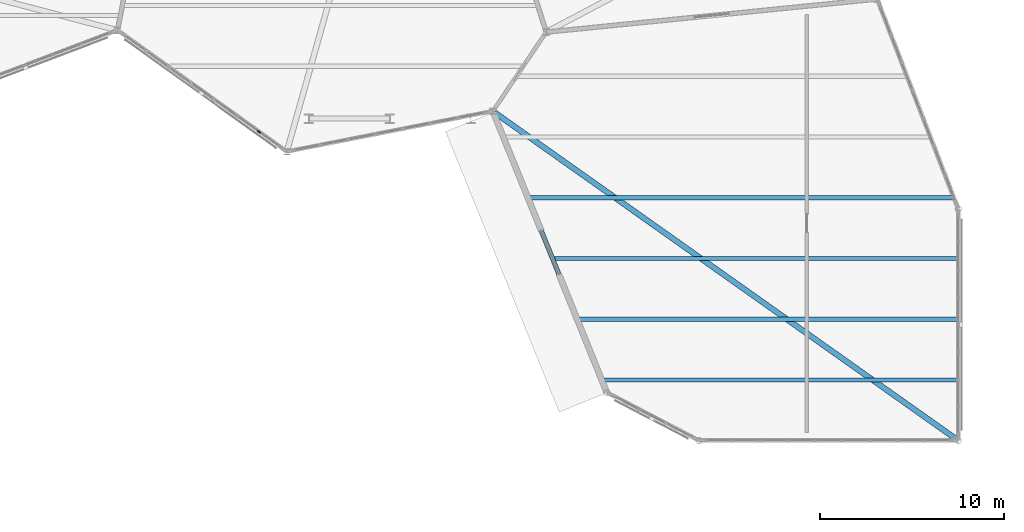
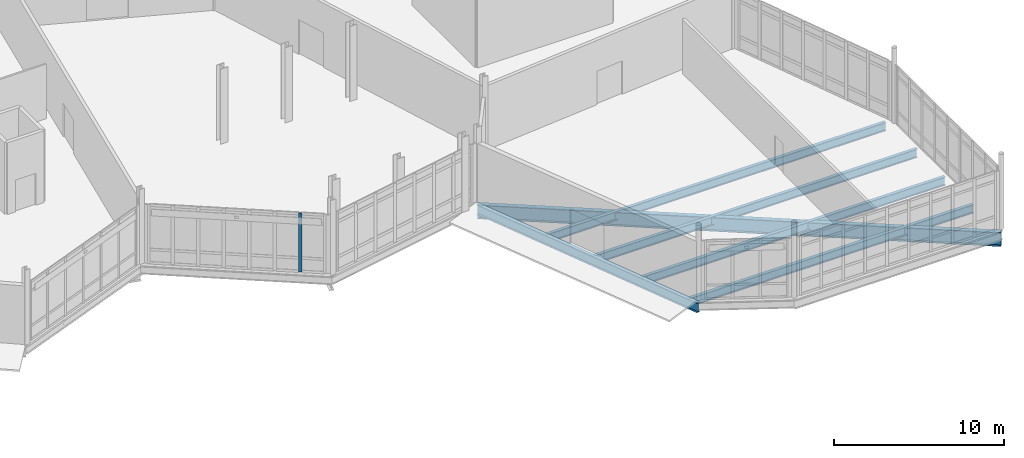
# One storey, part 54 of 113: 6 beams, 1 member, 1 element without a shape of its own.
"""IFC4 building model written with IfcOpenShell, lengths in metres."""

from ifc_helpers import new_model, si_unit, direction, frame, origin, origin_2d, place, context, subcontext, project, spatial, rectangle, i_section, extrude, material, material_profile, profile_set, type_object, element, aggregate, save


model = new_model("IFC4")

# Units and contexts
model_context = context("Model", 3, precision=1e-05, world=origin(), true_north=direction((0.0, 1.0)))
body_context = subcontext(model_context, "Body", "Model", "MODEL_VIEW")
ifc_project = project(units=[si_unit("LENGTHUNIT", "METRE"), si_unit("AREAUNIT", "SQUARE_METRE"), si_unit("VOLUMEUNIT", "CUBIC_METRE"), si_unit("PLANEANGLEUNIT", "RADIAN"), si_unit("MASSUNIT", "GRAM", prefix="KILO")], contexts=[model_context])

# Site, building, storey
site_placement = place(None, origin())
site = spatial("IfcSite", under=ifc_project, at=site_placement, CompositionType="ELEMENT")
building_placement = place(site_placement, origin())
building = spatial("IfcBuilding", under=site, at=building_placement, Name="Tameran Prism Museum", CompositionType="ELEMENT")
storey_placement = place(building_placement, origin())
storey = spatial("IfcBuildingStorey", under=building, at=storey_placement, Name="L00", CompositionType="ELEMENT", Elevation=0.0)

# Beams
ifc_material_1 = material(Name="Steel Grade 350 (350 MPa)", Category="steel")
ifc_material_profile_1 = material_profile(ifc_material_1, i_section(OverallWidth=0.25, OverallDepth=0.699951171875, WebThickness=0.010009765625, FlangeThickness=0.02001953125, at=origin_2d()))
ifc_profile_set_1 = profile_set([ifc_material_profile_1])
beam_type_1 = type_object("IfcBeamType", Name="BM-SP700", PredefinedType="SPANDREL", material=ifc_profile_set_1)
beam_1_placement = place(storey_placement, frame((141.10009765625, 17.89990234375, -0.590087890625), z_axis=(0.375566075137, -0.926795621055, 0.0), x_axis=(0.926795621055, 0.375566075137, 0.0)))
element("IfcBeam", 1, at=beam_1_placement, inside=storey, type_object=beam_type_1, Name="Perimeter Spandrel SP-0048", PredefinedType="SPANDREL", context=body_context, shape_type="SweptSolid", body=[
    extrude(i_section(OverallWidth=0.25, OverallDepth=0.699951171875, WebThickness=0.010009765625, FlangeThickness=0.02001953125, at=origin_2d()), origin(), (0.0, 0.0, 1.0), 16.50830078125),
])
ifc_material_2 = material(Name="Steel Grade 300PLUS (300 MPa)", Category="steel")
ifc_material_profile_2 = material_profile(ifc_material_2, i_section(OverallWidth=0.22802734375, OverallDepth=0.60693359375, WebThickness=0.01123046875, FlangeThickness=0.017333984375, FilletRadius=0.013916015625, at=origin_2d()))
ifc_profile_set_2 = profile_set([ifc_material_profile_2])
beam_type_2 = type_object("IfcBeamType", Name="BM-UB610B", PredefinedType="BEAM", material=ifc_profile_set_2)
beam_2_placement = place(storey_placement, frame((147.05908203125, 3.300048828125, -0.54345703125), z_axis=(1.0, 0.0, 0.0), x_axis=(0.0, 1.0, 0.0)))
element("IfcBeam", 2, at=beam_2_placement, inside=storey, type_object=beam_type_2, Name="Floor Beam BM-0247", PredefinedType="BEAM", context=body_context, shape_type="SweptSolid", body=[
    extrude(i_section(OverallWidth=0.22802734375, OverallDepth=0.60693359375, WebThickness=0.01123046875, FlangeThickness=0.017333984375, FilletRadius=0.013916015625, at=origin_2d()), origin(), (0.0, 0.0, 1.0), 19.301025390625),
])
beam_3_placement = place(storey_placement, frame((145.721923828125, 6.60009765625, -0.54345703125), z_axis=(1.0, 0.0, 0.0), x_axis=(0.0, 1.0, 0.0)))
element("IfcBeam", 3, at=beam_3_placement, inside=storey, type_object=beam_type_2, Name="Floor Beam BM-0248", PredefinedType="BEAM", context=body_context, shape_type="SweptSolid", body=[
    extrude(i_section(OverallWidth=0.22802734375, OverallDepth=0.60693359375, WebThickness=0.01123046875, FlangeThickness=0.017333984375, FilletRadius=0.013916015625, at=origin_2d()), origin(), (0.0, 0.0, 1.0), 20.63818359375),
])
beam_4_placement = place(storey_placement, frame((144.385009765625, 9.89990234375, -0.54345703125), z_axis=(1.0, 0.0, 0.0), x_axis=(0.0, 1.0, 0.0)))
element("IfcBeam", 4, at=beam_4_placement, inside=storey, type_object=beam_type_2, Name="Floor Beam BM-0249", PredefinedType="BEAM", context=body_context, shape_type="SweptSolid", body=[
    extrude(i_section(OverallWidth=0.22802734375, OverallDepth=0.60693359375, WebThickness=0.01123046875, FlangeThickness=0.017333984375, FilletRadius=0.013916015625, at=origin_2d()), origin(), (0.0, 0.0, 1.0), 21.97509765625),
])
beam_5_placement = place(storey_placement, frame((143.048095703125, 13.199951171875, -0.54345703125), z_axis=(1.0, 0.0, 0.0), x_axis=(0.0, 1.0, 0.0)))
element("IfcBeam", 5, at=beam_5_placement, inside=storey, type_object=beam_type_2, Name="Floor Beam BM-0250", PredefinedType="BEAM", context=body_context, shape_type="SweptSolid", body=[
    extrude(i_section(OverallWidth=0.22802734375, OverallDepth=0.60693359375, WebThickness=0.01123046875, FlangeThickness=0.017333984375, FilletRadius=0.013916015625, at=origin_2d()), origin(), (0.0, 0.0, 1.0), 23.077880859375),
])
ifc_material_3 = material(Name="Steel Grade 350 (350 MPa)", Category="steel")
ifc_material_profile_3 = material_profile(ifc_material_3, i_section(OverallWidth=0.300048828125, OverallDepth=1.0, WebThickness=0.01611328125, FlangeThickness=0.031982421875, at=origin_2d()))
ifc_profile_set_3 = profile_set([ifc_material_profile_3])
beam_type_3 = type_object("IfcBeamType", Name="BM-WB1000", PredefinedType="BEAM", material=ifc_profile_set_3)
beam_6_placement = place(storey_placement, frame((141.10009765625, 17.89990234375, -0.739990234375), z_axis=(0.816340810991, -0.57757049813, 0.0), x_axis=(0.57757049813, 0.816340810991, 0.0)))
element("IfcBeam", 6, at=beam_6_placement, inside=storey, type_object=beam_type_3, Name="Primary Vertex Girder PG-0054", PredefinedType="BEAM", context=body_context, shape_type="SweptSolid", body=[
    extrude(i_section(OverallWidth=0.300048828125, OverallDepth=1.0, WebThickness=0.01611328125, FlangeThickness=0.031982421875, at=origin_2d()), origin(), (0.0, 0.0, 1.0), 30.99169921875),
])

# Curtain wall, member
ifc_material_4 = material(Name="Anodised Aluminium 6063-T6 and Cyclone Solar Glass", Category="aluminium")
curtain_wall_type = type_object("IfcCurtainWallType", Name="CW-FAC-1056x422", PredefinedType="USERDEFINED", material=ifc_material_4)
curtain_wall_placement = place(storey_placement, origin())
curtain_wall = element("IfcCurtainWall", 7, at=curtain_wall_placement, inside=storey, type_object=curtain_wall_type, Name="Unitised Curtain Wall CW-037", ObjectType="UNITISED CURTAIN WALL", PredefinedType="USERDEFINED")
ifc_material_5 = material(Name="Anodised Aluminium Alloy 6063-T6", Category="aluminium")
ifc_material_profile_4 = material_profile(ifc_material_5, rectangle(XDim=0.074951171875, YDim=0.199951171875, at=origin_2d()))
ifc_profile_set_4 = profile_set([ifc_material_profile_4])
member_type = type_object("IfcMemberType", Name="CW-MUL-C", PredefinedType="MULLION", material=ifc_profile_set_4)
member_placement = place(storey_placement, frame((128.389892578125, 16.78369140625, 0.0), z_axis=(0.0, 0.0, 1.0), x_axis=(-0.582884776259, -0.812554821293, 0.0)))
member = element("IfcMember", 8, at=member_placement, type_object=member_type, Name="CW-037 mullion 2", PredefinedType="MULLION", context=body_context, shape_type="SweptSolid", body=[
    extrude(rectangle(XDim=0.074951171875, YDim=0.199951171875, at=origin_2d()), origin(), (0.0, 0.0, 1.0), 4.219970703125),
])
aggregate(curtain_wall, [member])

save(model, "model.ifc")
